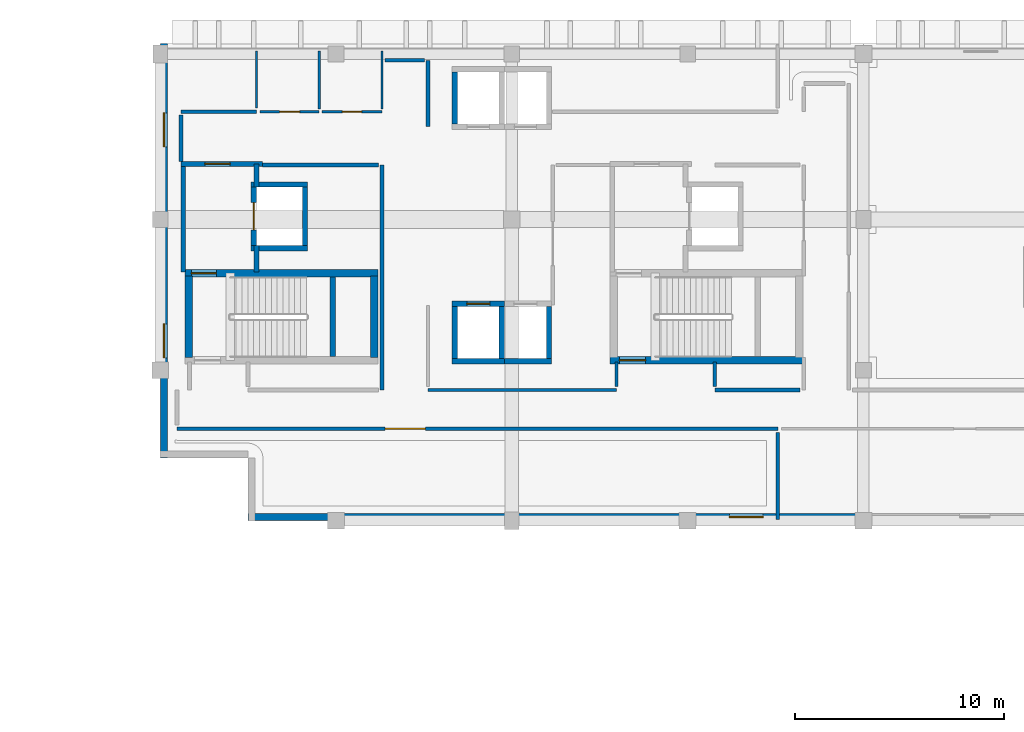
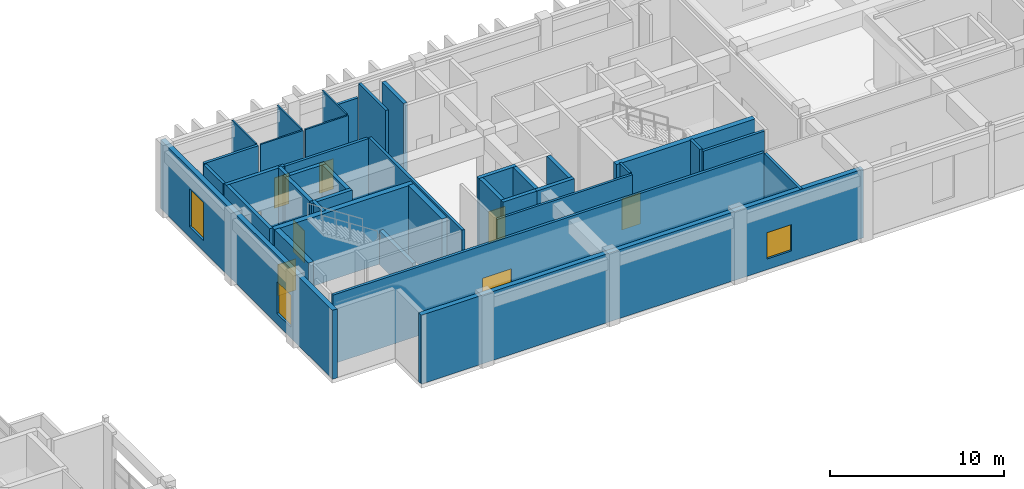
# One storey, part 68 of 78: 39 walls, 8 doors, 3 windows, 11 openings.
"""IFC4 building model written with IfcOpenShell, lengths in metres."""

from ifc_helpers import new_model, si_unit, direction, frame, frame_2d, origin, place, context, subcontext, project, spatial, rectangle, extrude, material, layer, layer_set, type_object, element, fill, save


model = new_model("IFC4")

# Units and contexts
model_context = context("Model", 3, precision=1e-05, world=origin(), true_north=direction((0.0, 1.0)))
body_context = subcontext(model_context, "Body", "Model", "MODEL_VIEW")
ifc_project = project(units=[si_unit("LENGTHUNIT", "METRE"), si_unit("AREAUNIT", "SQUARE_METRE"), si_unit("VOLUMEUNIT", "CUBIC_METRE"), si_unit("PLANEANGLEUNIT", "RADIAN"), si_unit("MASSUNIT", "GRAM", prefix="KILO")], contexts=[model_context])

# Site, building, storey
site_placement = place(None, origin())
site = spatial("IfcSite", under=ifc_project, at=site_placement, CompositionType="ELEMENT")
building_placement = place(site_placement, origin())
building = spatial("IfcBuilding", under=site, at=building_placement, Name="Quendrovan Civic Courthouse", CompositionType="ELEMENT")
storey_placement = place(building_placement, frame((0.0, 0.0, 20.39990234375)))
storey = spatial("IfcBuildingStorey", under=building, at=storey_placement, Name="L05", CompositionType="ELEMENT", Elevation=20.39990234375)

# Walls
ifc_material_1 = material(Name="Fire-rated gypsum stud partition")
ifc_layer_1 = layer(ifc_material_1, 0.159912109375, Name="Fire-rated gypsum stud partition")
ifc_layer_set_1 = layer_set([ifc_layer_1], Name="Fire-rated gypsum stud partition")
wall_type_1 = type_object("IfcWallType", Name="WL-COR-160", PredefinedType="PARTITIONING", material=ifc_layer_set_1)
wall_1_placement = place(storey_placement, frame((55.39990234375, 93.85009765625, 0.0), z_axis=(0.0, 0.0, 1.0), x_axis=(-1.0, 0.0, 0.0)))
element("IfcWall", 1, at=wall_1_placement, inside=storey, type_object=wall_type_1, Name="L05 Prosecutor Suite Partition 0685", PredefinedType="PARTITIONING", context=body_context, shape_type="SweptSolid", body=[
    extrude(rectangle(XDim=9.0, YDim=0.159912109375, at=frame_2d((4.5, 0.0))), origin(), (0.0, 0.0, 1.0), 4.840087890625),
])
wall_2_placement = place(storey_placement, frame((55.39990234375, 95.179931640625, 0.0), z_axis=(0.0, 0.0, 1.0), x_axis=(0.0, -1.0, 0.0)))
element("IfcWall", 2, at=wall_2_placement, inside=storey, type_object=wall_type_1, Name="L05 Prosecutor Suite Partition 0750", PredefinedType="PARTITIONING", context=body_context, shape_type="SweptSolid", body=[
    extrude(rectangle(XDim=1.169921875, YDim=0.159912109375, at=frame_2d((0.5849609375, 0.0))), origin(), (0.0, 0.0, 1.0), 4.840087890625),
])

# Wall, opening, door
ifc_material_2 = material(Name="Concrete C45/55", Category="concrete")
ifc_layer_2 = layer(ifc_material_2, 0.35009765625, Name="Concrete C45/55")
ifc_layer_set_2 = layer_set([ifc_layer_2], Name="Concrete C45/55")
wall_type_2 = type_object("IfcWallType", Name="WL-CORE-350", PredefinedType="SHEAR", material=ifc_layer_set_2)
wall_3_placement = place(storey_placement, frame((44.010009765625, 99.43505859375, 0.0), z_axis=(0.0, 0.0, 1.0), x_axis=(-1.0, 0.0, 0.0)))
wall_3 = element("IfcWall", 3, at=wall_3_placement, inside=storey, type_object=wall_type_2, Name="L05 Core Shear Wall ST1-N", PredefinedType="SHEAR", context=body_context, shape_type="SweptSolid", body=[
    extrude(rectangle(XDim=9.219970703125, YDim=0.35009765625, at=frame_2d((4.60986328125, 0.0))), origin(), (0.0, 0.0, 1.0), 4.840087890625),
])
opening_1_placement = place(wall_3_placement, frame((7.719970703125, 0.0, 0.0)))
opening_1 = element("IfcOpeningElement", 4, at=opening_1_placement, cuts=wall_3, Name="Opening DFF-ST1-L05", PredefinedType="OPENING", context=body_context, shape_type="SweptSolid", body=[
    extrude(rectangle(XDim=1.199951171875, YDim=2.199951171875, at=frame_2d((0.60009765625, 1.10009765625))), frame((0.0, 0.18505859375, 0.0), z_axis=(0.0, -1.0, 0.0), x_axis=(1.0, 0.0, 0.0)), (0.0, 0.0, 1.0), 0.3701171875),
])
ifc_material_3 = material(Name="Painted galvanized hollow-metal steel", Category="steel")
door_type_1 = type_object("IfcDoorType", Name="DR-FFLOB-1200", OperationType="NOTDEFINED", PredefinedType="DOOR", material=ifc_material_3)
door_1_placement = place(opening_1_placement, origin())
door_1 = element("IfcDoor", 5, at=door_1_placement, inside=storey, type_object=door_type_1, Name="L05 Firefighting Lobby FL1 Direct Stair ST1 Door", OperationType="SINGLE_SWING_RIGHT", OverallHeight=2.199951171875, OverallWidth=1.199951171875, PredefinedType="DOOR", context=body_context, shape_type="SweptSolid", body=[
    extrude(rectangle(XDim=1.199951171875, YDim=2.199951171875, at=frame_2d((0.60009765625, 1.10009765625))), frame((0.0, 0.02490234375, 0.0), z_axis=(0.0, -1.0, 0.0), x_axis=(1.0, 0.0, 0.0)), (0.0, 0.0, 1.0), 0.050048828125),
])
fill(opening_1, door_1)

# Walls
for number, where, z_axis, x_axis, name in (
    (6, (34.965087890625, 95.39990234375, 0.0), (0.0, 0.0, 1.0), (0.0, 1.0, 0.0), "L05 Core Shear Wall ST1-W"),
    (7, (43.8349609375, 99.300048828125, 0.0), (0.0, 0.0, 1.0), (0.0, -1.0, 0.0), "L05 Core Shear Wall ST1-E"),
):
    element("IfcWall", number, at=place(storey_placement, frame(where, z_axis=z_axis, x_axis=x_axis)), inside=storey, type_object=wall_type_2, Name=name, PredefinedType="SHEAR", context=body_context, shape_type="SweptSolid", body=[
        extrude(rectangle(XDim=3.900146484375, YDim=0.35009765625, at=frame_2d((1.9501953125, 0.0))), origin(), (0.0, 0.0, 1.0), 4.840087890625),
    ])

# Wall, opening, door
wall_4_placement = place(storey_placement, frame((55.090087890625, 95.264892578125, 0.0), z_axis=(0.0, 0.0, 1.0), x_axis=(1.0, 0.0, 0.0)))
wall_4 = element("IfcWall", 8, at=wall_4_placement, inside=storey, type_object=wall_type_2, Name="L05 Core Shear Wall ST2-S", PredefinedType="SHEAR", context=body_context, shape_type="SweptSolid", body=[
    extrude(rectangle(XDim=9.219970703125, YDim=0.35009765625, at=frame_2d((4.60986328125, 0.0))), origin(), (0.0, 0.0, 1.0), 4.840087890625),
])
opening_2_placement = place(wall_4_placement, frame((0.449951171875, 0.0, 0.0)))
opening_2 = element("IfcOpeningElement", 9, at=opening_2_placement, cuts=wall_4, Name="Opening DS-ST2-L05", PredefinedType="OPENING", context=body_context, shape_type="SweptSolid", body=[
    extrude(rectangle(XDim=1.25, YDim=2.199951171875, at=frame_2d((0.625, 1.10009765625))), frame((0.0, 0.18505859375, 0.0), z_axis=(0.0, -1.0, 0.0), x_axis=(1.0, 0.0, 0.0)), (0.0, 0.0, 1.0), 0.3701171875),
])
door_type_2 = type_object("IfcDoorType", Name="DR-STAIR-1250", OperationType="NOTDEFINED", PredefinedType="DOOR", material=ifc_material_3)
door_2_placement = place(opening_2_placement, origin())
door_2 = element("IfcDoor", 10, at=door_2_placement, inside=storey, type_object=door_type_2, Name="L05 Exit Stair ST2 Fire Door", OperationType="SINGLE_SWING_RIGHT", OverallHeight=2.199951171875, OverallWidth=1.25, PredefinedType="DOOR", context=body_context, shape_type="SweptSolid", body=[
    extrude(rectangle(XDim=1.25, YDim=2.199951171875, at=frame_2d((0.625, 1.10009765625))), frame((0.0, 0.02490234375, 0.0), z_axis=(0.0, -1.0, 0.0), x_axis=(1.0, 0.0, 0.0)), (0.0, 0.0, 1.0), 0.050048828125),
])
fill(opening_2, door_2)

ifc_material_4 = material(Name="Acoustic gypsum and mineral wool partition")
ifc_layer_3 = layer(ifc_material_4, 0.179931640625, Name="Acoustic gypsum and mineral wool partition")
ifc_layer_set_3 = layer_set([ifc_layer_3], Name="Acoustic gypsum and mineral wool partition")
wall_type_3 = type_object("IfcWallType", Name="WL-CRT-AC180", PredefinedType="PARTITIONING", material=ifc_layer_set_3)
wall_5_placement = place(storey_placement, frame((34.39990234375, 92.0, 0.0), z_axis=(0.0, 0.0, 1.0), x_axis=(1.0, 0.0, 0.0)))
wall_5 = element("IfcWall", 11, at=wall_5_placement, inside=storey, type_object=wall_type_3, Name="L05 Trial Courtroom Partition 0661", PredefinedType="PARTITIONING", context=body_context, shape_type="SweptSolid", body=[
    extrude(rectangle(XDim=28.710205078125, YDim=0.179931640625, at=frame_2d((14.35498046875, 0.0))), origin(), (0.0, 0.0, 1.0), 4.840087890625),
])
opening_3_placement = place(wall_5_placement, frame((9.94970703125, 0.0, 0.0)))
opening_3 = element("IfcOpeningElement", 12, at=opening_3_placement, cuts=wall_5, Name="Opening D-L05-095", PredefinedType="OPENING", context=body_context, shape_type="SweptSolid", body=[
    extrude(rectangle(XDim=1.919921875, YDim=2.550048828125, at=frame_2d((0.9599609375, 1.27490234375))), frame((0.0, 0.10009765625, 0.0), z_axis=(0.0, -1.0, 0.0), x_axis=(1.0, 0.0, 0.0)), (0.0, 0.0, 1.0), 0.199951171875),
])
ifc_material_5 = material(Name="Acoustic solid Western Red Cedar timber door", Category="wood")
door_type_3 = type_object("IfcDoorType", Name="DR-CRT-DBL1920", OperationType="NOTDEFINED", PredefinedType="DOOR", material=ifc_material_5)
door_3_placement = place(opening_3_placement, origin())
door_3 = element("IfcDoor", 13, at=door_3_placement, inside=storey, type_object=door_type_3, Name="L05 Trial Courtroom Door D-L05-095", OperationType="SINGLE_SWING_RIGHT", OverallHeight=2.550048828125, OverallWidth=1.919921875, PredefinedType="DOOR", context=body_context, shape_type="SweptSolid", body=[
    extrude(rectangle(XDim=1.919921875, YDim=2.550048828125, at=frame_2d((0.9599609375, 1.27490234375))), frame((0.0, 0.02490234375, 0.0), z_axis=(0.0, -1.0, 0.0), x_axis=(1.0, 0.0, 0.0)), (0.0, 0.0, 1.0), 0.050048828125),
])
fill(opening_3, door_3)

# Walls
wall_6_placement = place(storey_placement, frame((44.199951171875, 104.60009765625, 0.0), z_axis=(0.0, 0.0, 1.0), x_axis=(0.0, -1.0, 0.0)))
element("IfcWall", 14, at=wall_6_placement, inside=storey, type_object=wall_type_3, Name="L05 Trial Courtroom Partition 0681", PredefinedType="PARTITIONING", context=body_context, shape_type="SweptSolid", body=[
    extrude(rectangle(XDim=10.75, YDim=0.179931640625, at=frame_2d((5.375, 0.0))), origin(), (0.0, 0.0, 1.0), 4.840087890625),
])
wall_7_placement = place(storey_placement, frame((38.47998046875, 104.60009765625, 0.0), z_axis=(0.0, 0.0, 1.0), x_axis=(1.0, 0.0, 0.0)))
element("IfcWall", 15, at=wall_7_placement, inside=storey, type_object=wall_type_3, Name="L05 Trial Courtroom Partition 0692", PredefinedType="PARTITIONING", context=body_context, shape_type="SweptSolid", body=[
    extrude(rectangle(XDim=5.550048828125, YDim=0.179931640625, at=frame_2d((2.77490234375, 0.0))), origin(), (0.0, 0.0, 1.0), 4.840087890625),
])
wall_8_placement = place(storey_placement, frame((63.110107421875, 91.830078125, 0.0), z_axis=(0.0, 0.0, 1.0), x_axis=(0.0, -1.0, 0.0)))
element("IfcWall", 16, at=wall_8_placement, inside=storey, type_object=wall_type_3, Name="L05 Trial Courtroom Partition 0699", PredefinedType="PARTITIONING", context=body_context, shape_type="SweptSolid", body=[
    extrude(rectangle(XDim=4.170166015625, YDim=0.179931640625, at=frame_2d((2.0849609375, 0.0))), origin(), (0.0, 0.0, 1.0), 4.840087890625),
])
wall_9_placement = place(storey_placement, frame((64.179931640625, 93.85009765625, 0.0), z_axis=(0.0, 0.0, 1.0), x_axis=(-1.0, 0.0, 0.0)))
element("IfcWall", 17, at=wall_9_placement, inside=storey, type_object=wall_type_3, Name="L05 Criminal Courtroom 1 Partition 0704", PredefinedType="PARTITIONING", context=body_context, shape_type="SweptSolid", body=[
    extrude(rectangle(XDim=4.079833984375, YDim=0.179931640625, at=frame_2d((2.0400390625, 0.0))), origin(), (0.0, 0.0, 1.0), 4.840087890625),
])
wall_10_placement = place(storey_placement, frame((38.199951171875, 107.14990234375, 0.0), z_axis=(0.0, 0.0, 1.0), x_axis=(-1.0, 0.0, 0.0)))
element("IfcWall", 18, at=wall_10_placement, inside=storey, type_object=wall_type_3, Name="L05 Trial Courtroom Partition 0712", PredefinedType="PARTITIONING", context=body_context, shape_type="SweptSolid", body=[
    extrude(rectangle(XDim=3.599853515625, YDim=0.179931640625, at=frame_2d((1.7998046875, 0.0))), origin(), (0.0, 0.0, 1.0), 4.840087890625),
])
wall_11_placement = place(storey_placement, frame((46.39990234375, 106.449951171875, 0.0), z_axis=(0.0, 0.0, 1.0), x_axis=(0.0, 1.0, 0.0)))
element("IfcWall", 19, at=wall_11_placement, inside=storey, type_object=wall_type_3, Name="L05 Trial Courtroom Partition 0718", PredefinedType="PARTITIONING", context=body_context, shape_type="SweptSolid", body=[
    extrude(rectangle(XDim=3.150146484375, YDim=0.179931640625, at=frame_2d((1.5751953125, 0.0))), origin(), (0.0, 0.0, 1.0), 4.840087890625),
])
wall_12_placement = place(storey_placement, frame((34.60009765625, 106.97998046875, 0.0), z_axis=(0.0, 0.0, 1.0), x_axis=(0.0, -1.0, 0.0)))
element("IfcWall", 20, at=wall_12_placement, inside=storey, type_object=wall_type_3, Name="L05 Trial Courtroom Partition 0730", PredefinedType="PARTITIONING", context=body_context, shape_type="SweptSolid", body=[
    extrude(rectangle(XDim=2.2099609375, YDim=0.179931640625, at=frame_2d((1.10498046875, 0.0))), origin(), (0.0, 0.0, 1.0), 4.840087890625),
])
wall_13_placement = place(storey_placement, frame((46.22998046875, 109.60009765625, 0.0), z_axis=(0.0, 0.0, 1.0), x_axis=(-1.0, 0.0, 0.0)))
element("IfcWall", 21, at=wall_13_placement, inside=storey, type_object=wall_type_3, Name="L05 Trial Courtroom Partition 0736", PredefinedType="PARTITIONING", context=body_context, shape_type="SweptSolid", body=[
    extrude(rectangle(XDim=1.89501953125, YDim=0.179931640625, at=frame_2d((0.947509765625, 0.0))), origin(), (0.0, 0.0, 1.0), 3.900146484375),
])
wall_14_placement = place(storey_placement, frame((60.10009765625, 94.02001953125, 0.0), z_axis=(0.0, 0.0, 1.0), x_axis=(0.0, 1.0, 0.0)))
element("IfcWall", 22, at=wall_14_placement, inside=storey, type_object=wall_type_3, Name="L05 Criminal Courtroom 1 Partition 0751", PredefinedType="PARTITIONING", context=body_context, shape_type="SweptSolid", body=[
    extrude(rectangle(XDim=1.159912109375, YDim=0.179931640625, at=frame_2d((0.580078125, 0.0))), origin(), (0.0, 0.0, 1.0), 4.840087890625),
])

# Wall, opening, window
ifc_material_6 = material(Name="Precast concrete C45/55", Category="concrete")
ifc_layer_4 = layer(ifc_material_6, 0.320068359375, Name="Precast concrete C45/55")
ifc_layer_set_4 = layer_set([ifc_layer_4], Name="Precast concrete C45/55")
wall_type_4 = type_object("IfcWallType", Name="WL-EXT-PC320", PredefinedType="SOLIDWALL", material=ifc_layer_set_4)
wall_15_placement = place(storey_placement, frame((67.199951171875, 87.780029296875, 0.0), z_axis=(0.0, 0.0, 1.0), x_axis=(-1.0, 0.0, 0.0)))
wall_15 = element("IfcWall", 23, at=wall_15_placement, inside=storey, type_object=wall_type_4, Name="L05 Exterior Precast Concrete Wall 443", PredefinedType="SOLIDWALL", context=body_context, shape_type="SweptSolid", body=[
    extrude(rectangle(XDim=29.39990234375, YDim=0.320068359375, at=frame_2d((14.699951171875, 0.0))), origin(), (0.0, 0.0, 1.0), 4.840087890625),
])
opening_4_placement = place(wall_15_placement, frame((4.7900390625, 0.0, 0.75)))
opening_4 = element("IfcOpeningElement", 24, at=opening_4_placement, cuts=wall_15, Name="Opening W31", PredefinedType="OPENING", context=body_context, shape_type="SweptSolid", body=[
    extrude(rectangle(XDim=1.6201171875, YDim=1.85009765625, at=frame_2d((0.81005859375, 0.925048828125))), frame((0.0, 0.169921875, 0.0), z_axis=(0.0, -1.0, 0.0), x_axis=(1.0, 0.0, 0.0)), (0.0, 0.0, 1.0), 0.340087890625),
])
ifc_material_7 = material(Name="Laminated hurricane-impact low-E glass", Category="glass")
window_type_1 = type_object("IfcWindowType", Name="WIN-SLT-31", PartitioningType="SINGLE_PANEL", PredefinedType="WINDOW", material=ifc_material_7)
window_1_placement = place(opening_4_placement, origin())
window_1 = element("IfcWindow", 25, at=window_1_placement, inside=storey, type_object=window_type_1, Name="L05 Courtroom Shaded Slot Window 0038", OverallHeight=1.85009765625, OverallWidth=1.6201171875, PartitioningType="SINGLE_PANEL", PredefinedType="WINDOW", context=body_context, shape_type="SweptSolid", body=[
    extrude(rectangle(XDim=1.6201171875, YDim=1.85009765625, at=frame_2d((0.81005859375, 0.925048828125))), frame((0.0, 0.030029296875, 0.0), z_axis=(0.0, -1.0, 0.0), x_axis=(1.0, 0.0, 0.0)), (0.0, 0.0, 1.0), 0.06005859375),
])
fill(opening_4, window_1)

# Wall, openings, windows
wall_16_placement = place(storey_placement, frame((33.780029296875, 90.60009765625, 0.0), z_axis=(0.0, 0.0, 1.0), x_axis=(0.0, 1.0, 0.0)))
wall_16 = element("IfcWall", 26, at=wall_16_placement, inside=storey, type_object=wall_type_4, Name="L05 Exterior Precast Concrete Wall 446", PredefinedType="SOLIDWALL", context=body_context, shape_type="SweptSolid", body=[
    extrude(rectangle(XDim=19.7998046875, YDim=0.320068359375, at=frame_2d((9.89990234375, 0.0))), origin(), (0.0, 0.0, 1.0), 4.840087890625),
])
opening_5_placement = place(wall_16_placement, frame((4.7900390625, 0.0, 0.75)))
opening_5 = element("IfcOpeningElement", 27, at=opening_5_placement, cuts=wall_16, Name="Opening W32", PredefinedType="OPENING", context=body_context, shape_type="SweptSolid", body=[
    extrude(rectangle(XDim=1.6201171875, YDim=2.25, at=frame_2d((0.81005859375, 1.125))), frame((0.0, 0.169921875, 0.0), z_axis=(0.0, -1.0, 0.0), x_axis=(1.0, 0.0, 0.0)), (0.0, 0.0, 1.0), 0.340087890625),
])
opening_6_placement = place(wall_16_placement, frame((14.8701171875, 0.0, 0.75)))
opening_6 = element("IfcOpeningElement", 28, at=opening_6_placement, cuts=wall_16, Name="Opening W33", PredefinedType="OPENING", context=body_context, shape_type="SweptSolid", body=[
    extrude(rectangle(XDim=1.6201171875, YDim=2.64990234375, at=frame_2d((0.81005859375, 1.324951171875))), frame((0.0, 0.169921875, 0.0), z_axis=(0.0, -1.0, 0.0), x_axis=(1.0, 0.0, 0.0)), (0.0, 0.0, 1.0), 0.340087890625),
])
window_type_2 = type_object("IfcWindowType", Name="WIN-SLT-32", PartitioningType="SINGLE_PANEL", PredefinedType="WINDOW", material=ifc_material_7)
window_2_placement = place(opening_5_placement, origin())
window_2 = element("IfcWindow", 29, at=window_2_placement, inside=storey, type_object=window_type_2, Name="L05 Courtroom Shaded Slot Window 0039", OverallHeight=2.25, OverallWidth=1.6201171875, PartitioningType="SINGLE_PANEL", PredefinedType="WINDOW", context=body_context, shape_type="SweptSolid", body=[
    extrude(rectangle(XDim=1.6201171875, YDim=2.25, at=frame_2d((0.81005859375, 1.125))), frame((0.0, 0.030029296875, 0.0), z_axis=(0.0, -1.0, 0.0), x_axis=(1.0, 0.0, 0.0)), (0.0, 0.0, 1.0), 0.06005859375),
])
fill(opening_5, window_2)
window_type_3 = type_object("IfcWindowType", Name="WIN-SLT-33", PartitioningType="SINGLE_PANEL", PredefinedType="WINDOW", material=ifc_material_7)
window_3_placement = place(opening_6_placement, origin())
window_3 = element("IfcWindow", 30, at=window_3_placement, inside=storey, type_object=window_type_3, Name="L05 Courtroom Shaded Slot Window 0040", OverallHeight=2.64990234375, OverallWidth=1.6201171875, PartitioningType="SINGLE_PANEL", PredefinedType="WINDOW", context=body_context, shape_type="SweptSolid", body=[
    extrude(rectangle(XDim=1.6201171875, YDim=2.64990234375, at=frame_2d((0.81005859375, 1.324951171875))), frame((0.0, 0.030029296875, 0.0), z_axis=(0.0, -1.0, 0.0), x_axis=(1.0, 0.0, 0.0)), (0.0, 0.0, 1.0), 0.06005859375),
])
fill(opening_6, window_3)

# Wall, opening, door
ifc_material_8 = material(Name="Concrete C40/50", Category="concrete")
ifc_layer_5 = layer(ifc_material_8, 0.22998046875, Name="Concrete C40/50")
ifc_layer_set_5 = layer_set([ifc_layer_5], Name="Concrete C40/50")
wall_type_5 = type_object("IfcWallType", Name="WL-FFLOB-230", PredefinedType="PARTITIONING", material=ifc_layer_set_5)
wall_17_placement = place(storey_placement, frame((34.590087890625, 104.64990234375, 0.0), z_axis=(0.0, 0.0, 1.0), x_axis=(1.0, 0.0, 0.0)))
wall_17 = element("IfcWall", 31, at=wall_17_placement, inside=storey, type_object=wall_type_5, Name="L05 Firefighting Lift Lobby FL1 Wall N", PredefinedType="PARTITIONING", context=body_context, shape_type="SweptSolid", body=[
    extrude(rectangle(XDim=3.889892578125, YDim=0.22998046875, at=frame_2d((1.94482421875, 0.0))), origin(), (0.0, 0.0, 1.0), 4.840087890625),
])
opening_7_placement = place(wall_17_placement, frame((1.14990234375, 0.0, 0.0)))
opening_7 = element("IfcOpeningElement", 32, at=opening_7_placement, cuts=wall_17, Name="Opening DF-FL1-L05N", PredefinedType="OPENING", context=body_context, shape_type="SweptSolid", body=[
    extrude(rectangle(XDim=1.199951171875, YDim=2.199951171875, at=frame_2d((0.60009765625, 1.10009765625))), frame((0.0, 0.125, 0.0), z_axis=(0.0, -1.0, 0.0), x_axis=(1.0, 0.0, 0.0)), (0.0, 0.0, 1.0), 0.25),
])
door_4_placement = place(opening_7_placement, origin())
door_4 = element("IfcDoor", 33, at=door_4_placement, inside=storey, type_object=door_type_1, Name="L05 Firefighting Lobby FL1 Fire Door N", OperationType="SINGLE_SWING_LEFT", OverallHeight=2.199951171875, OverallWidth=1.199951171875, PredefinedType="DOOR", context=body_context, shape_type="SweptSolid", body=[
    extrude(rectangle(XDim=1.199951171875, YDim=2.199951171875, at=frame_2d((0.60009765625, 1.10009765625))), frame((0.0, 0.02490234375, 0.0), z_axis=(0.0, -1.0, 0.0), x_axis=(1.0, 0.0, 0.0)), (0.0, 0.0, 1.0), 0.050048828125),
])
fill(opening_7, door_4)

# Walls
wall_18_placement = place(storey_placement, frame((34.699951171875, 99.5, 0.0), z_axis=(0.0, 0.0, 1.0), x_axis=(0.0, 1.0, 0.0)))
element("IfcWall", 34, at=wall_18_placement, inside=storey, type_object=wall_type_5, Name="L05 Firefighting Lift Lobby FL1 Wall W", PredefinedType="PARTITIONING", context=body_context, shape_type="SweptSolid", body=[
    extrude(rectangle(XDim=5.260009765625, YDim=0.22998046875, at=frame_2d((2.6298828125, 0.0))), origin(), (0.0, 0.0, 1.0), 4.840087890625),
])
wall_19_placement = place(storey_placement, frame((38.199951171875, 104.64990234375, 0.0), z_axis=(0.0, 0.0, 1.0), x_axis=(0.0, -1.0, 0.0)))
element("IfcWall", 35, at=wall_19_placement, inside=storey, type_object=wall_type_5, Name="L05 Firefighting Lift Lobby FL1 Wall EN", PredefinedType="PARTITIONING", context=body_context, shape_type="SweptSolid", body=[
    extrude(rectangle(XDim=1.099853515625, YDim=0.22998046875, at=frame_2d((0.5498046875, 0.0))), origin(), (0.0, 0.0, 1.0), 4.840087890625),
])
wall_20_placement = place(storey_placement, frame((38.199951171875, 100.75, 0.0), z_axis=(0.0, 0.0, 1.0), x_axis=(0.0, -1.0, 0.0)))
element("IfcWall", 36, at=wall_20_placement, inside=storey, type_object=wall_type_5, Name="L05 Firefighting Lift Lobby FL1 Wall ES", PredefinedType="PARTITIONING", context=body_context, shape_type="SweptSolid", body=[
    extrude(rectangle(XDim=1.25, YDim=0.22998046875, at=frame_2d((0.625, 0.0))), origin(), (0.0, 0.0, 1.0), 4.840087890625),
])
ifc_layer_6 = layer(ifc_material_2, 0.25, Name="Concrete C45/55")
ifc_layer_set_6 = layer_set([ifc_layer_6], Name="Concrete C45/55")
wall_type_6 = type_object("IfcWallType", Name="WL-SHAFT-250", PredefinedType="SHEAR", material=ifc_layer_set_6)
wall_21_placement = place(storey_placement, frame((41.85009765625, 95.449951171875, 0.0), z_axis=(0.0, 0.0, 1.0), x_axis=(0.0, 1.0, 0.0)))
element("IfcWall", 37, at=wall_21_placement, inside=storey, type_object=wall_type_6, Name="L05 Stair ST1 Mid-Landing Bearing Wall", PredefinedType="SHEAR", context=body_context, shape_type="SweptSolid", body=[
    extrude(rectangle(XDim=3.800048828125, YDim=0.25, at=frame_2d((1.89990234375, 0.0))), origin(), (0.0, 0.0, 1.0), 2.3701171875),
])
wall_22_placement = place(storey_placement, frame((47.550048828125, 95.22509765625, 0.0), z_axis=(0.0, 0.0, 1.0), x_axis=(1.0, 0.0, 0.0)))
element("IfcWall", 38, at=wall_22_placement, inside=storey, type_object=wall_type_6, Name="L05 Lift Hoistway Wall PL3 -Y", PredefinedType="SHEAR", context=body_context, shape_type="SweptSolid", body=[
    extrude(rectangle(XDim=2.5, YDim=0.25, at=frame_2d((1.25, 0.0))), origin(), (0.0, 0.0, 1.0), 4.840087890625),
])

# Wall, opening, door
wall_23_placement = place(storey_placement, frame((50.050048828125, 97.97509765625, 0.0), z_axis=(0.0, 0.0, 1.0), x_axis=(-1.0, 0.0, 0.0)))
wall_23 = element("IfcWall", 39, at=wall_23_placement, inside=storey, type_object=wall_type_6, Name="L05 Lift Hoistway Wall PL3 +Y", PredefinedType="SHEAR", context=body_context, shape_type="SweptSolid", body=[
    extrude(rectangle(XDim=2.5, YDim=0.25, at=frame_2d((1.25, 0.0))), origin(), (0.0, 0.0, 1.0), 4.840087890625),
])
opening_8_placement = place(wall_23_placement, frame((0.699951171875, 0.0, 0.0)))
opening_8 = element("IfcOpeningElement", 40, at=opening_8_placement, cuts=wall_23, Name="Opening LD-PL3-L05", PredefinedType="OPENING", context=body_context, shape_type="SweptSolid", body=[
    extrude(rectangle(XDim=1.10009765625, YDim=2.199951171875, at=frame_2d((0.550048828125, 1.10009765625))), frame((0.0, 0.135009765625, 0.0), z_axis=(0.0, -1.0, 0.0), x_axis=(1.0, 0.0, 0.0)), (0.0, 0.0, 1.0), 0.27001953125),
])
ifc_material_9 = material(Name="Brushed bronze-anodised stainless steel", Category="steel")
door_type_4 = type_object("IfcDoorType", Name="DR-LIFT-LD-PL", OperationType="NOTDEFINED", PredefinedType="DOOR", material=ifc_material_9)
door_5_placement = place(opening_8_placement, origin())
door_5 = element("IfcDoor", 41, at=door_5_placement, inside=storey, type_object=door_type_4, Name="L05 Lift PL3 Sliding Landing Door", OperationType="SLIDING_TO_RIGHT", OverallHeight=2.199951171875, OverallWidth=1.10009765625, PredefinedType="DOOR", context=body_context, shape_type="SweptSolid", body=[
    extrude(rectangle(XDim=1.10009765625, YDim=2.199951171875, at=frame_2d((0.550048828125, 1.10009765625))), frame((0.0, 0.02490234375, 0.0), z_axis=(0.0, -1.0, 0.0), x_axis=(1.0, 0.0, 0.0)), (0.0, 0.0, 1.0), 0.050048828125),
])
fill(opening_8, door_5)

# Walls
for number, where, z_axis, x_axis, name in (
    (42, (47.675048828125, 95.35009765625, 0.0), (0.0, 0.0, 1.0), (0.0, 1.0, 0.0), "L05 Lift Hoistway Wall PL3 -X"),
    (43, (49.925048828125, 97.85009765625, 0.0), (0.0, 0.0, 1.0), (0.0, -1.0, 0.0), "L05 Lift Hoistway Wall PL3 +X"),
    (44, (49.800048828125, 95.22509765625, 0.0), (0.0, 0.0, 1.0), (1.0, 0.0, 0.0), "L05 Lift Hoistway Wall PL4 -Y"),
    (45, (52.175048828125, 97.85009765625, 0.0), (0.0, 0.0, 1.0), (0.0, -1.0, 0.0), "L05 Lift Hoistway Wall PL4 +X"),
    (46, (47.675048828125, 106.550048828125, 0.0), (0.0, 0.0, 1.0), (0.0, 1.0, 0.0), "L05 Lift Hoistway Wall JL1 -X"),
):
    element("IfcWall", number, at=place(storey_placement, frame(where, z_axis=z_axis, x_axis=x_axis)), inside=storey, type_object=wall_type_6, Name=name, PredefinedType="SHEAR", context=body_context, shape_type="SweptSolid", body=[
        extrude(rectangle(XDim=2.5, YDim=0.25, at=frame_2d((1.25, 0.0))), origin(), (0.0, 0.0, 1.0), 4.840087890625),
    ])
for number, where, z_axis, x_axis, name in (
    (47, (37.949951171875, 100.625, 0.0), (0.0, 0.0, 1.0), (1.0, 0.0, 0.0), "L05 Lift Hoistway Wall FL1 -Y"),
    (48, (40.64990234375, 103.675048828125, 0.0), (0.0, 0.0, 1.0), (-1.0, 0.0, 0.0), "L05 Lift Hoistway Wall FL1 +Y"),
):
    element("IfcWall", number, at=place(storey_placement, frame(where, z_axis=z_axis, x_axis=x_axis)), inside=storey, type_object=wall_type_6, Name=name, PredefinedType="SHEAR", context=body_context, shape_type="SweptSolid", body=[
        extrude(rectangle(XDim=2.699951171875, YDim=0.25, at=frame_2d((1.35009765625, 0.0))), origin(), (0.0, 0.0, 1.0), 4.840087890625),
    ])

# Wall, opening, door
wall_24_placement = place(storey_placement, frame((38.074951171875, 100.75, 0.0), z_axis=(0.0, 0.0, 1.0), x_axis=(0.0, 1.0, 0.0)))
wall_24 = element("IfcWall", 49, at=wall_24_placement, inside=storey, type_object=wall_type_6, Name="L05 Lift Hoistway Wall FL1 -X", PredefinedType="SHEAR", context=body_context, shape_type="SweptSolid", body=[
    extrude(rectangle(XDim=2.800048828125, YDim=0.25, at=frame_2d((1.39990234375, 0.0))), origin(), (0.0, 0.0, 1.0), 4.840087890625),
])
opening_9_placement = place(wall_24_placement, frame((0.75, 0.0, 0.0)))
opening_9 = element("IfcOpeningElement", 50, at=opening_9_placement, cuts=wall_24, Name="Opening LD-FL1-L05", PredefinedType="OPENING", context=body_context, shape_type="SweptSolid", body=[
    extrude(rectangle(XDim=1.300048828125, YDim=2.25, at=frame_2d((0.64990234375, 1.125))), frame((0.0, 0.135009765625, 0.0), z_axis=(0.0, -1.0, 0.0), x_axis=(1.0, 0.0, 0.0)), (0.0, 0.0, 1.0), 0.27001953125),
])
ifc_material_10 = material(Name="Smoke-tight fire-service stainless steel", Category="steel")
door_type_5 = type_object("IfcDoorType", Name="DR-LIFT-LD-FL", OperationType="NOTDEFINED", PredefinedType="DOOR", material=ifc_material_10)
door_6_placement = place(opening_9_placement, origin())
door_6 = element("IfcDoor", 51, at=door_6_placement, inside=storey, type_object=door_type_5, Name="L05 Lift FL1 Sliding Landing Door", OperationType="SLIDING_TO_RIGHT", OverallHeight=2.25, OverallWidth=1.300048828125, PredefinedType="DOOR", context=body_context, shape_type="SweptSolid", body=[
    extrude(rectangle(XDim=1.300048828125, YDim=2.25, at=frame_2d((0.64990234375, 1.125))), frame((0.0, 0.02490234375, 0.0), z_axis=(0.0, -1.0, 0.0), x_axis=(1.0, 0.0, 0.0)), (0.0, 0.0, 1.0), 0.050048828125),
])
fill(opening_9, door_6)

# Wall
wall_25_placement = place(storey_placement, frame((40.52490234375, 103.550048828125, 0.0), z_axis=(0.0, 0.0, 1.0), x_axis=(0.0, -1.0, 0.0)))
element("IfcWall", 52, at=wall_25_placement, inside=storey, type_object=wall_type_6, Name="L05 Lift Hoistway Wall FL1 +X", PredefinedType="SHEAR", context=body_context, shape_type="SweptSolid", body=[
    extrude(rectangle(XDim=2.800048828125, YDim=0.25, at=frame_2d((1.39990234375, 0.0))), origin(), (0.0, 0.0, 1.0), 4.840087890625),
])

# Wall, opening, door
ifc_material_11 = material(Name="Moisture-resistant tile-backer partition")
ifc_layer_7 = layer(ifc_material_11, 0.110107421875, Name="Moisture-resistant tile-backer partition")
ifc_layer_set_7 = layer_set([ifc_layer_7], Name="Moisture-resistant tile-backer partition")
wall_type_7 = type_object("IfcWallType", Name="WL-WET-110", PredefinedType="PARTITIONING", material=ifc_layer_set_7)
wall_26_placement = place(storey_placement, frame((41.199951171875, 107.14990234375, 0.0), z_axis=(0.0, 0.0, 1.0), x_axis=(-1.0, 0.0, 0.0)))
wall_26 = element("IfcWall", 53, at=wall_26_placement, inside=storey, type_object=wall_type_7, Name="L05 L05 Accessible WC Partition 0719", PredefinedType="PARTITIONING", context=body_context, shape_type="SweptSolid", body=[
    extrude(rectangle(XDim=2.829833984375, YDim=0.110107421875, at=frame_2d((1.4150390625, 0.0))), origin(), (0.0, 0.0, 1.0), 4.840087890625),
])
opening_10_placement = place(wall_26_placement, frame((0.93505859375, 0.0, 0.0)))
opening_10 = element("IfcOpeningElement", 54, at=opening_10_placement, cuts=wall_26, Name="Opening D-L05-088", PredefinedType="OPENING", context=body_context, shape_type="SweptSolid", body=[
    extrude(rectangle(XDim=0.9599609375, YDim=2.139892578125, at=frame_2d((0.47998046875, 1.06982421875))), frame((0.0, 0.06494140625, 0.0), z_axis=(0.0, -1.0, 0.0), x_axis=(1.0, 0.0, 0.0)), (0.0, 0.0, 1.0), 0.130126953125),
])
ifc_material_12 = material(Name="Moisture-resistant laminate timber door", Category="wood")
door_type_6 = type_object("IfcDoorType", Name="DR-WC-ACC-960", OperationType="NOTDEFINED", PredefinedType="DOOR", material=ifc_material_12)
door_7_placement = place(opening_10_placement, origin())
door_7 = element("IfcDoor", 55, at=door_7_placement, inside=storey, type_object=door_type_6, Name="L05 L05 Accessible WC Door D-L05-088", OperationType="SINGLE_SWING_LEFT", OverallHeight=2.139892578125, OverallWidth=0.9599609375, PredefinedType="DOOR", context=body_context, shape_type="SweptSolid", body=[
    extrude(rectangle(XDim=0.9599609375, YDim=2.139892578125, at=frame_2d((0.47998046875, 1.06982421875))), frame((0.0, 0.02490234375, 0.0), z_axis=(0.0, -1.0, 0.0), x_axis=(1.0, 0.0, 0.0)), (0.0, 0.0, 1.0), 0.050048828125),
])
fill(opening_10, door_7)

wall_27_placement = place(storey_placement, frame((44.199951171875, 107.14990234375, 0.0), z_axis=(0.0, 0.0, 1.0), x_axis=(-1.0, 0.0, 0.0)))
wall_27 = element("IfcWall", 56, at=wall_27_placement, inside=storey, type_object=wall_type_7, Name="L05 L05 Judicial and Public Restroom Partition 0720", PredefinedType="PARTITIONING", context=body_context, shape_type="SweptSolid", body=[
    extrude(rectangle(XDim=2.864990234375, YDim=0.110107421875, at=frame_2d((1.4326171875, 0.0))), origin(), (0.0, 0.0, 1.0), 4.840087890625),
])
opening_11_placement = place(wall_27_placement, frame((0.972412109375, 0.0, 0.0)))
opening_11 = element("IfcOpeningElement", 57, at=opening_11_placement, cuts=wall_27, Name="Opening D-L05-089", PredefinedType="OPENING", context=body_context, shape_type="SweptSolid", body=[
    extrude(rectangle(XDim=0.919921875, YDim=2.1201171875, at=frame_2d((0.4599609375, 1.06005859375))), frame((0.0, 0.06494140625, 0.0), z_axis=(0.0, -1.0, 0.0), x_axis=(1.0, 0.0, 0.0)), (0.0, 0.0, 1.0), 0.130126953125),
])
door_type_7 = type_object("IfcDoorType", Name="DR-WC-STD-920", OperationType="NOTDEFINED", PredefinedType="DOOR", material=ifc_material_12)
door_8_placement = place(opening_11_placement, origin())
door_8 = element("IfcDoor", 58, at=door_8_placement, inside=storey, type_object=door_type_7, Name="L05 L05 Judicial and Public Restroom Door D-L05-089", OperationType="SINGLE_SWING_RIGHT", OverallHeight=2.1201171875, OverallWidth=0.919921875, PredefinedType="DOOR", context=body_context, shape_type="SweptSolid", body=[
    extrude(rectangle(XDim=0.919921875, YDim=2.1201171875, at=frame_2d((0.4599609375, 1.06005859375))), frame((0.0, 0.02490234375, 0.0), z_axis=(0.0, -1.0, 0.0), x_axis=(1.0, 0.0, 0.0)), (0.0, 0.0, 1.0), 0.050048828125),
])
fill(opening_11, door_8)

# Walls
wall_28_placement = place(storey_placement, frame((41.199951171875, 110.050048828125, 0.0), z_axis=(0.0, 0.0, 1.0), x_axis=(0.0, -1.0, 0.0)))
element("IfcWall", 59, at=wall_28_placement, inside=storey, type_object=wall_type_7, Name="L05 L05 Accessible WC Partition 0722", PredefinedType="PARTITIONING", context=body_context, shape_type="SweptSolid", body=[
    extrude(rectangle(XDim=2.76513671875, YDim=0.110107421875, at=frame_2d((1.382568359375, 0.0))), origin(), (0.0, 0.0, 1.0), 4.840087890625),
])
wall_29_placement = place(storey_placement, frame((38.199951171875, 107.320068359375, 0.0), z_axis=(0.0, 0.0, 1.0), x_axis=(0.0, 1.0, 0.0)))
element("IfcWall", 60, at=wall_29_placement, inside=storey, type_object=wall_type_7, Name="L05 L05 Accessible WC Partition 0723", PredefinedType="PARTITIONING", context=body_context, shape_type="SweptSolid", body=[
    extrude(rectangle(XDim=2.72998046875, YDim=0.110107421875, at=frame_2d((1.364990234375, 0.0))), origin(), (0.0, 0.0, 1.0), 4.840087890625),
])
wall_30_placement = place(storey_placement, frame((44.199951171875, 110.050048828125, 0.0), z_axis=(0.0, 0.0, 1.0), x_axis=(0.0, -1.0, 0.0)))
element("IfcWall", 61, at=wall_30_placement, inside=storey, type_object=wall_type_7, Name="L05 L05 Judicial and Public Restroom Partition 0724", PredefinedType="PARTITIONING", context=body_context, shape_type="SweptSolid", body=[
    extrude(rectangle(XDim=2.76513671875, YDim=0.110107421875, at=frame_2d((1.382568359375, 0.0))), origin(), (0.0, 0.0, 1.0), 4.840087890625),
])

save(model, "model.ifc")
